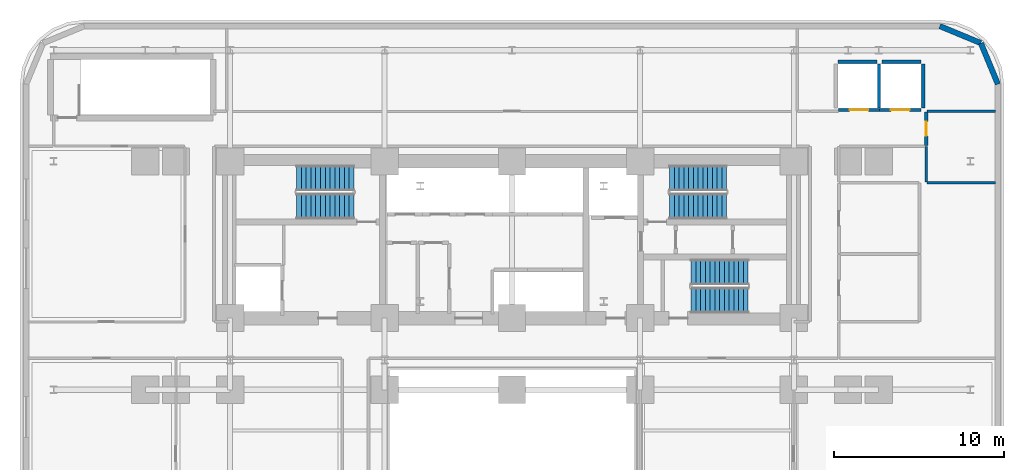
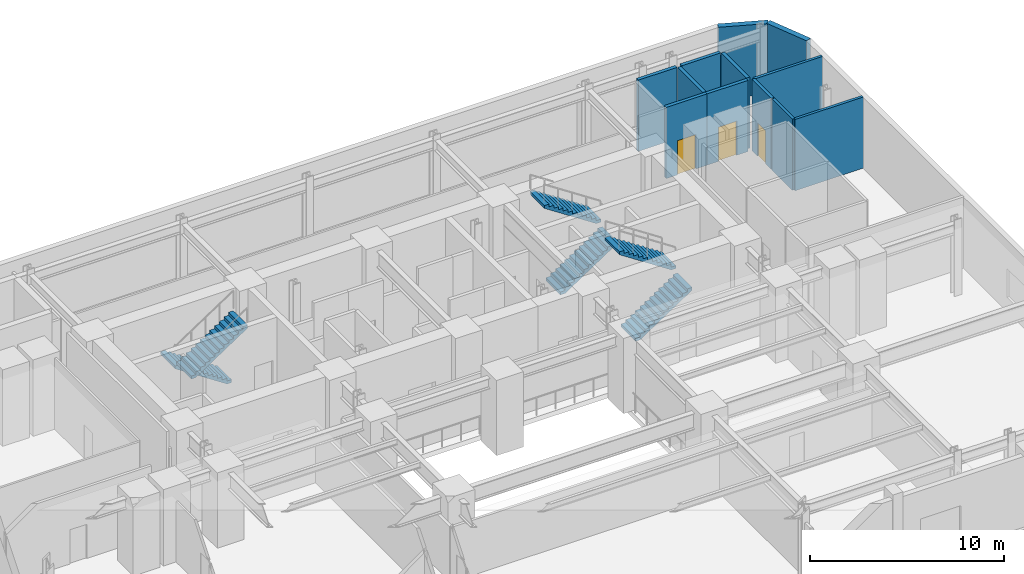
# One storey, part 9 of 15: 12 walls, 6 stair flights, 3 doors, 3 openings, 3 elements without a shape of their own.
"""IFC4 building model written with IfcOpenShell, lengths in metres."""

import ifcopenshell
import ifcopenshell.guid

model = None  # the IFC model being written
_history = None  # IfcOwnerHistory: only IFC2X3 demands one
_inside = {}  # id of a spatial element -> (the spatial element, [elements in it])
_under = {}  # id of a project, library or spatial element -> (it, [spatial elements below it])
_declared = {}  # id of a project -> (the project, [libraries it declares])
_typed = {}  # id of a type object -> (the type object, [elements of that type])
_made_of = {}  # id of a material, layer set ... -> (it, [elements and type objects made of it])


def new_model(schema):
    """Start an empty IFC model of exactly this schema.

    Asked for "IFC4X3", IfcOpenShell would pick the latest addendum, in which some entities
    have other attributes; the version numbers below select the first issue.
    IFC2X3 requires an IfcOwnerHistory on every rooted entity: one is made here for all.
    """
    global model, _history
    if schema == "IFC4X3":
        model = ifcopenshell.file(schema_version=(4, 3, 0, 0))
    else:
        model = ifcopenshell.file(schema=schema)
    _inside.clear()
    _under.clear()
    _declared.clear()
    _typed.clear()
    _made_of.clear()
    _history = None
    if model.schema == "IFC2X3":
        org = make("IfcOrganization", Name="unknown")
        user = make(
            "IfcPersonAndOrganization",
            ThePerson=make("IfcPerson", FamilyName="unknown"),
            TheOrganization=org,
        )
        app = make(
            "IfcApplication",
            ApplicationDeveloper=org,
            Version="unknown",
            ApplicationFullName="unknown",
            ApplicationIdentifier="unknown",
        )
        _history = make(
            "IfcOwnerHistory",
            OwningUser=user,
            OwningApplication=app,
            ChangeAction="ADDED",
            CreationDate=0,
        )
    return model


def make(cls, **values):
    """One entity of the class cls with the attributes given. An attribute that is None is left unset."""
    return model.create_entity(
        cls, **{name: value for name, value in values.items() if value is not None}
    )


def rooted(cls, **values):
    """An entity with a GlobalId (a new one), such as an element, a storey or a relation."""
    return make(cls, GlobalId=ifcopenshell.guid.new(), OwnerHistory=_history, **values)


def si_unit(unit_type, name, prefix=None):
    """IfcSIUnit, for example si_unit("LENGTHUNIT", "METRE", prefix="MILLI")."""
    return make("IfcSIUnit", UnitType=unit_type, Prefix=prefix, Name=name)


def assignment(units):
    """IfcUnitAssignment: the units of a project."""
    return None if units is None else make("IfcUnitAssignment", Units=units)


def point(xyz):
    """IfcCartesianPoint."""
    return None if xyz is None else make("IfcCartesianPoint", Coordinates=xyz)


def direction(xyz):
    """IfcDirection."""
    return None if xyz is None else make("IfcDirection", DirectionRatios=xyz)


def frame(location, z_axis=None, x_axis=None):
    """IfcAxis2Placement3D, a coordinate frame: its origin and axes. An axis left out is left unset."""
    return make(
        "IfcAxis2Placement3D",
        Location=point(location),
        Axis=direction(z_axis),
        RefDirection=direction(x_axis),
    )


def frame_2d(location, x_axis=None):
    """IfcAxis2Placement2D, a coordinate frame in the plane: its origin and x axis."""
    return make(
        "IfcAxis2Placement2D", Location=point(location), RefDirection=direction(x_axis)
    )


def origin():
    """The frame at (0, 0, 0) with its axes left unset."""
    return frame((0.0, 0.0, 0.0))


def place(relative_to, where):
    """IfcLocalPlacement: puts the frame where relative to a parent placement (None: the world)."""
    return make(
        "IfcLocalPlacement", PlacementRelTo=relative_to, RelativePlacement=where
    )


def context(
    kind, dimensions, precision=None, world=None, true_north=None, identifier=None
):
    """IfcGeometricRepresentationContext, for example the 3D "Model" context."""
    return make(
        "IfcGeometricRepresentationContext",
        ContextIdentifier=identifier,
        ContextType=kind,
        CoordinateSpaceDimension=dimensions,
        Precision=precision,
        WorldCoordinateSystem=world,
        TrueNorth=true_north,
    )


def subcontext(parent, identifier, kind, view, scale=None):
    """IfcGeometricRepresentationSubContext, for example "Body" below "Model"."""
    return make(
        "IfcGeometricRepresentationSubContext",
        ContextIdentifier=identifier,
        ContextType=kind,
        ParentContext=parent,
        TargetScale=scale,
        TargetView=view,
    )


def project(units=None, contexts=None):
    """IfcProject with its units and contexts."""
    return rooted(
        "IfcProject",
        Name="project",
        RepresentationContexts=contexts,
        UnitsInContext=assignment(units),
    )


def spatial(cls, under=None, at=None, **own):
    """A site, building, storey or space (cls), placed at a placement, below another one or the project."""
    s = rooted(cls, ObjectPlacement=at, **own)
    if under is not None:
        _under.setdefault(under.id(), (under, []))[1].append(s)
    return s


def polyline(points):
    """IfcPolyline through the points."""
    return make("IfcPolyline", Points=[point(p) for p in points])


def profile(cls, at=None, kind="AREA", **sizes):
    """A parametric profile (cls). Its sizes go by their IFC names, for example OverallWidth=200.0."""
    return make(cls, ProfileType=kind, Position=at, **sizes)


def rectangle(**sizes):
    """IfcRectangleProfileDef."""
    return profile("IfcRectangleProfileDef", **sizes)


def outline(outer, holes=None, kind="AREA"):
    """IfcArbitraryClosedProfileDef: a profile drawn as a closed curve; with holes, ...WithVoids."""
    if holes is None:
        return make("IfcArbitraryClosedProfileDef", ProfileType=kind, OuterCurve=outer)
    return make(
        "IfcArbitraryProfileDefWithVoids",
        ProfileType=kind,
        OuterCurve=outer,
        InnerCurves=holes,
    )


def extrude(swept, where, along, depth):
    """IfcExtrudedAreaSolid: the profile swept, set in the frame where, extruded along a direction by depth."""
    return make(
        "IfcExtrudedAreaSolid",
        SweptArea=swept,
        Position=where,
        ExtrudedDirection=direction(along),
        Depth=depth,
    )


def shape(context_of_items, identifier, shape_type, items):
    """IfcShapeRepresentation: the items that make up one representation, for example the "Body"."""
    return make(
        "IfcShapeRepresentation",
        ContextOfItems=context_of_items,
        RepresentationIdentifier=identifier,
        RepresentationType=shape_type,
        Items=items,
    )


def material(Name=None, Category=None):
    """IfcMaterial."""
    return make("IfcMaterial", Name=Name, Category=Category)


def layer(
    of_material, thickness, ventilated=None, Name=None, Category=None, Priority=None
):
    """IfcMaterialLayer: one layer of a wall or slab, of a material (None: an air gap)."""
    return make(
        "IfcMaterialLayer",
        Material=of_material,
        LayerThickness=thickness,
        IsVentilated=ventilated,
        Name=Name,
        Category=Category,
        Priority=Priority,
    )


def layer_set(layers, Name=None):
    """IfcMaterialLayerSet."""
    return make("IfcMaterialLayerSet", MaterialLayers=layers, LayerSetName=Name)


def made_of(thing, what):
    """Note that an element or type object is made of a material, layer set ...; save() writes the relation."""
    if what is not None:
        _made_of.setdefault(what.id(), (what, []))[1].append(thing)
    return thing


def type_object(cls, material=None, **own):
    """A type object (cls), such as IfcWallType, which elements share."""
    return made_of(rooted(cls, **own), material)


def element(
    cls,
    number,
    at=None,
    inside=None,
    cuts=None,
    type_object=None,
    material=None,
    context=None,
    identifier="Body",
    shape_type=None,
    held_by="IfcProductDefinitionShape",
    body=None,
    shapes=None,
    **own,
):
    """One element of the class cls, such as IfcWall. Its Tag is "e" and its number.

    at: its placement. inside: the storey or other place that contains it. cuts: it is an
    opening in that element (IfcRelVoidsElement). A single representation is given by context,
    identifier, shape_type and body (its items); several are given by shapes. held_by: the class
    of the entity that holds the representations. save() writes the other relations.
    """
    e = rooted(cls, Tag="e%d" % number, ObjectPlacement=at, **own)
    if body is not None:
        shapes = [shape(context, identifier, shape_type, body)]
    if shapes is not None:
        e.Representation = make(held_by, Representations=shapes)
    if inside is not None:
        _inside.setdefault(inside.id(), (inside, []))[1].append(e)
    if cuts is not None:
        rooted(
            "IfcRelVoidsElement", RelatingBuildingElement=cuts, RelatedOpeningElement=e
        )
    if type_object is not None:
        _typed.setdefault(type_object.id(), (type_object, []))[1].append(e)
    return made_of(e, material)


def fill(opening, filler):
    """IfcRelFillsElement: the door or window that sits in an opening."""
    return rooted(
        "IfcRelFillsElement",
        RelatingOpeningElement=opening,
        RelatedBuildingElement=filler,
    )


def aggregate(whole, parts):
    """IfcRelAggregates: a whole, such as a stair, and the parts it consists of."""
    return rooted("IfcRelAggregates", RelatingObject=whole, RelatedObjects=parts)


def save(model, path):
    """Write the relations noted so far, then the file.

    IfcRelAggregates (storeys below a building ...), IfcRelContainedInSpatialStructure (elements
    in a storey), IfcRelDefinesByType, IfcRelAssociatesMaterial and IfcRelDeclares: one each for
    every whole, place, type object, material and project.
    """
    for whole, parts in _under.values():
        aggregate(whole, parts)
    for where, things in _inside.values():
        rooted(
            "IfcRelContainedInSpatialStructure",
            RelatedElements=things,
            RelatingStructure=where,
        )
    for kind, things in _typed.values():
        rooted("IfcRelDefinesByType", RelatedObjects=things, RelatingType=kind)
    for what, things in _made_of.values():
        rooted("IfcRelAssociatesMaterial", RelatedObjects=things, RelatingMaterial=what)
    for by, libraries in _declared.values():
        rooted("IfcRelDeclares", RelatingContext=by, RelatedDefinitions=libraries)
    model.write(path)


model = new_model("IFC4")

# Units and contexts
model_context = context("Model", 3, precision=1e-05, world=origin(), true_north=direction((0.0, 1.0)))
body_context = subcontext(model_context, "Body", "Model", "MODEL_VIEW")
ifc_project = project(units=[si_unit("LENGTHUNIT", "METRE"), si_unit("AREAUNIT", "SQUARE_METRE"), si_unit("VOLUMEUNIT", "CUBIC_METRE"), si_unit("PLANEANGLEUNIT", "RADIAN"), si_unit("MASSUNIT", "GRAM", prefix="KILO")], contexts=[model_context])

# Site, building, storey
site_placement = place(None, origin())
site = spatial("IfcSite", under=ifc_project, at=site_placement, CompositionType="ELEMENT")
building_placement = place(site_placement, origin())
building = spatial("IfcBuilding", under=site, at=building_placement, Name="Zarnavel Station Tower", CompositionType="ELEMENT")
storey_placement = place(building_placement, frame((0.0, 0.0, 24.199951171875)))
storey = spatial("IfcBuildingStorey", under=building, at=storey_placement, Name="L06", CompositionType="ELEMENT", Elevation=24.199951171875)

# Walls
ifc_material_1 = material(Name="Precast concrete C45/55 (Podium Basalt Frame)", Category="masonry")
ifc_layer_1 = layer(ifc_material_1, 0.320068359375)
ifc_layer_set_1 = layer_set([ifc_layer_1], Name="EW_BASALT_320")
wall_type_1 = type_object("IfcWallType", Name="EW_BASALT_320", PredefinedType="SOLIDWALL", material=ifc_layer_set_1)
for number, where, z_axis, x_axis, name in (
    (1, (56.418212890625, 44.018310546875, 0.0), (0.0, 0.0, 1.0), (0.382700522567, -0.923872453333, 0.0), "L06 Exterior Basalt Masonry Frame Wall 04"),
    (2, (54.0, 45.02001953125, 0.0), (0.0, 0.0, 1.0), (0.923872453333, -0.382700522567, 0.0), "L06 Exterior Basalt Masonry Frame Wall 05"),
):
    element("IfcWall", number, at=place(storey_placement, frame(where, z_axis=z_axis, x_axis=x_axis)), inside=storey, type_object=wall_type_1, Name=name, PredefinedType="SOLIDWALL", context=body_context, shape_type="SweptSolid", body=[
        extrude(rectangle(XDim=2.617431640625, YDim=0.320068359375, at=frame_2d((1.30859375, 0.0))), origin(), (0.0, 0.0, 1.0), 4.47998046875),
    ])
ifc_material_2 = material(Name="Gypsum Twin-Stud Acoustic Fire Partition", Category="concrete")
ifc_layer_2 = layer(ifc_material_2, 0.159912109375)
ifc_layer_set_2 = layer_set([ifc_layer_2], Name="PT_DEMISE_160")
wall_type_2 = type_object("IfcWallType", Name="PT_DEMISE_160", PredefinedType="PARTITIONING", material=ifc_layer_set_2)
for number, where, z_axis, x_axis, name in (
    (3, (53.22998046875, 35.800048828125, 0.0), (0.0, 0.0, 1.0), (1.0, 0.0, 0.0), "L06 Enclosure Wall PWC-A"),
    (4, (53.22998046875, 40.0, 0.0), (0.0, 0.0, 1.0), (1.0, 0.0, 0.0), "L06 Enclosure Wall PWC-A"),
):
    element("IfcWall", number, at=place(storey_placement, frame(where, z_axis=z_axis, x_axis=x_axis)), inside=storey, type_object=wall_type_2, Name=name, PredefinedType="PARTITIONING", context=body_context, shape_type="SweptSolid", body=[
        extrude(rectangle(XDim=4.06005859375, YDim=0.159912109375, at=frame_2d((2.030029296875, 0.0))), origin(), (0.0, 0.0, 1.0), 4.47998046875),
    ])
wall_1_placement = place(storey_placement, frame((53.199951171875, 35.830078125, 0.0), z_axis=(0.0, 0.0, 1.0), x_axis=(0.0, 1.0, 0.0)))
element("IfcWall", 5, at=wall_1_placement, inside=storey, type_object=wall_type_2, Name="L06 Enclosure Wall PWC-A", PredefinedType="PARTITIONING", context=body_context, shape_type="SweptSolid", body=[
    extrude(rectangle(XDim=2.08984375, YDim=0.159912109375, at=frame_2d((1.044921875, 0.0))), origin(), (0.0, 0.0, 1.0), 4.47998046875),
])

# Wall, opening, door
ifc_material_3 = material(Name="Precast concrete C45/55 (Fire Shaft Blockwork)", Category="masonry")
ifc_layer_3 = layer(ifc_material_3, 0.199951171875)
ifc_layer_set_3 = layer_set([ifc_layer_3], Name="PT_SHAFT_200")
wall_type_3 = type_object("IfcWallType", Name="PT_SHAFT_200", PredefinedType="PARTITIONING", material=ifc_layer_set_3)
wall_2_placement = place(storey_placement, frame((48.02001953125, 40.080078125, 0.0), z_axis=(0.0, 0.0, 1.0), x_axis=(1.0, 0.0, 0.0)))
wall_2 = element("IfcWall", 6, at=wall_2_placement, inside=storey, type_object=wall_type_3, Name="L06 Lift PL-P1 Shaft Front Wall", PredefinedType="PARTITIONING", context=body_context, shape_type="SweptSolid", body=[
    extrude(rectangle(XDim=2.429931640625, YDim=0.199951171875, at=frame_2d((1.21484375, 0.0))), origin(), (0.0, 0.0, 1.0), 4.47998046875),
])
opening_1_placement = place(wall_2_placement, frame((0.6650390625, 0.0, 0.0)))
opening_1 = element("IfcOpeningElement", 7, at=opening_1_placement, cuts=wall_2, Name="Opening LD02", PredefinedType="OPENING", context=body_context, shape_type="SweptSolid", body=[
    extrude(rectangle(XDim=1.10009765625, YDim=2.14990234375, at=frame_2d((0.550048828125, 1.074951171875))), frame((0.0, 0.10986328125, 0.0), z_axis=(0.0, -1.0, 0.0), x_axis=(1.0, 0.0, 0.0)), (0.0, 0.0, 1.0), 0.219970703125),
])
ifc_material_4 = material(Name="Painted Galvanised Steel and Hardwood Leaf", Category="steel")
door_type_1 = type_object("IfcDoorType", Name="LD_PAX_1100", OperationType="DOUBLE_DOOR_SLIDING", PredefinedType="DOOR", material=ifc_material_4)
door_1_placement = place(opening_1_placement, origin())
door_1 = element("IfcDoor", 8, at=door_1_placement, inside=storey, type_object=door_type_1, Name="L06 Lift PL-P1 Sliding Landing Door", OperationType="DOUBLE_DOOR_SLIDING", OverallHeight=2.14990234375, OverallWidth=1.10009765625, PredefinedType="DOOR", context=body_context, shape_type="SweptSolid", body=[
    extrude(rectangle(XDim=1.10009765625, YDim=2.14990234375, at=frame_2d((0.550048828125, 1.074951171875))), frame((0.0, 0.02490234375, 0.0), z_axis=(0.0, -1.0, 0.0), x_axis=(1.0, 0.0, 0.0)), (0.0, 0.0, 1.0), 0.050048828125),
])
fill(opening_1, door_1)

# Walls
wall_3_placement = place(storey_placement, frame((48.0, 42.919921875, 0.0), z_axis=(0.0, 0.0, 1.0), x_axis=(1.0, 0.0, 0.0)))
element("IfcWall", 9, at=wall_3_placement, inside=storey, type_object=wall_type_3, Name="L06 Lift PL-P1 Shaft Wall N", PredefinedType="PARTITIONING", context=body_context, shape_type="SweptSolid", body=[
    extrude(rectangle(XDim=2.300048828125, YDim=0.199951171875, at=frame_2d((1.14990234375, 0.0))), origin(), (0.0, 0.0, 1.0), 4.47998046875),
])
wall_4_placement = place(storey_placement, frame((50.419921875, 40.199951171875, 0.0), z_axis=(0.0, 0.0, 1.0), x_axis=(0.0, 1.0, 0.0)))
element("IfcWall", 10, at=wall_4_placement, inside=storey, type_object=wall_type_3, Name="L06 Lift PL-P1 Shaft Wall E", PredefinedType="PARTITIONING", context=body_context, shape_type="SweptSolid", body=[
    extrude(rectangle(XDim=2.60009765625, YDim=0.199951171875, at=frame_2d((1.300048828125, 0.0))), origin(), (0.0, 0.0, 1.0), 4.47998046875),
])

# Wall, opening, door
wall_5_placement = place(storey_placement, frame((50.449951171875, 40.080078125, 0.0), z_axis=(0.0, 0.0, 1.0), x_axis=(1.0, 0.0, 0.0)))
wall_5 = element("IfcWall", 11, at=wall_5_placement, inside=storey, type_object=wall_type_3, Name="L06 Lift PL-P2 Shaft Front Wall", PredefinedType="PARTITIONING", context=body_context, shape_type="SweptSolid", body=[
    extrude(rectangle(XDim=2.429931640625, YDim=0.199951171875, at=frame_2d((1.21484375, 0.0))), origin(), (0.0, 0.0, 1.0), 4.47998046875),
])
opening_2_placement = place(wall_5_placement, frame((0.6650390625, 0.0, 0.0)))
opening_2 = element("IfcOpeningElement", 12, at=opening_2_placement, cuts=wall_5, Name="Opening LD02", PredefinedType="OPENING", context=body_context, shape_type="SweptSolid", body=[
    extrude(rectangle(XDim=1.10009765625, YDim=2.14990234375, at=frame_2d((0.550048828125, 1.074951171875))), frame((0.0, 0.10986328125, 0.0), z_axis=(0.0, -1.0, 0.0), x_axis=(1.0, 0.0, 0.0)), (0.0, 0.0, 1.0), 0.219970703125),
])
door_2_placement = place(opening_2_placement, origin())
door_2 = element("IfcDoor", 13, at=door_2_placement, inside=storey, type_object=door_type_1, Name="L06 Lift PL-P2 Sliding Landing Door", OperationType="DOUBLE_DOOR_SLIDING", OverallHeight=2.14990234375, OverallWidth=1.10009765625, PredefinedType="DOOR", context=body_context, shape_type="SweptSolid", body=[
    extrude(rectangle(XDim=1.10009765625, YDim=2.14990234375, at=frame_2d((0.550048828125, 1.074951171875))), frame((0.0, 0.02490234375, 0.0), z_axis=(0.0, -1.0, 0.0), x_axis=(1.0, 0.0, 0.0)), (0.0, 0.0, 1.0), 0.050048828125),
])
fill(opening_2, door_2)

# Walls
wall_6_placement = place(storey_placement, frame((50.60009765625, 42.919921875, 0.0), z_axis=(0.0, 0.0, 1.0), x_axis=(1.0, 0.0, 0.0)))
element("IfcWall", 14, at=wall_6_placement, inside=storey, type_object=wall_type_3, Name="L06 Lift PL-P2 Shaft Wall N", PredefinedType="PARTITIONING", context=body_context, shape_type="SweptSolid", body=[
    extrude(rectangle(XDim=2.2998046875, YDim=0.199951171875, at=frame_2d((1.14990234375, 0.0))), origin(), (0.0, 0.0, 1.0), 4.47998046875),
])
wall_7_placement = place(storey_placement, frame((53.02001953125, 40.199951171875, 0.0), z_axis=(0.0, 0.0, 1.0), x_axis=(0.0, 1.0, 0.0)))
element("IfcWall", 15, at=wall_7_placement, inside=storey, type_object=wall_type_3, Name="L06 Lift PL-P2 Shaft Wall E", PredefinedType="PARTITIONING", context=body_context, shape_type="SweptSolid", body=[
    extrude(rectangle(XDim=2.60009765625, YDim=0.199951171875, at=frame_2d((1.300048828125, 0.0))), origin(), (0.0, 0.0, 1.0), 4.47998046875),
])

# Wall, opening, door
ifc_material_5 = material(Name="Moisture-Resistant Plumbing Chase Wall", Category="concrete")
ifc_layer_4 = layer(ifc_material_5, 0.179931640625)
ifc_layer_set_4 = layer_set([ifc_layer_4], Name="PW_PLUMB_180")
wall_type_4 = type_object("IfcWallType", Name="PW_PLUMB_180", PredefinedType="PLUMBINGWALL", material=ifc_layer_set_4)
wall_8_placement = place(storey_placement, frame((53.199951171875, 37.989990234375, 0.0), z_axis=(0.0, 0.0, 1.0), x_axis=(0.0, 1.0, 0.0)))
wall_8 = element("IfcWall", 16, at=wall_8_placement, inside=storey, type_object=wall_type_4, Name="L06 Partition PLLOB-PWC-A", PredefinedType="PLUMBINGWALL", context=body_context, shape_type="SweptSolid", body=[
    extrude(rectangle(XDim=1.969970703125, YDim=0.179931640625, at=frame_2d((0.98486328125, 0.0))), origin(), (0.0, 0.0, 1.0), 4.47998046875),
])
opening_3_placement = place(wall_8_placement, frame((0.56005859375, 0.0, 0.0)))
opening_3 = element("IfcOpeningElement", 17, at=opening_3_placement, cuts=wall_8, Name="Opening ID02", PredefinedType="OPENING", context=body_context, shape_type="SweptSolid", body=[
    extrude(rectangle(XDim=0.85009765625, YDim=2.10009765625, at=frame_2d((0.425048828125, 1.050048828125))), frame((0.0, 0.099853515625, 0.0), z_axis=(0.0, -1.0, 0.0), x_axis=(1.0, 0.0, 0.0)), (0.0, 0.0, 1.0), 0.199951171875),
])
ifc_material_6 = material(Name="Painted Galvanised Steel and Hardwood Leaf", Category="steel")
door_type_2 = type_object("IfcDoorType", Name="ID_BATH_850", OperationType="NOTDEFINED", PredefinedType="DOOR", material=ifc_material_6)
door_3_placement = place(opening_3_placement, origin())
door_3 = element("IfcDoor", 18, at=door_3_placement, inside=storey, type_object=door_type_2, Name="L06 Door PLLOB-PWC-A", OperationType="SINGLE_SWING_LEFT", OverallHeight=2.10009765625, OverallWidth=0.85009765625, PredefinedType="DOOR", context=body_context, shape_type="SweptSolid", body=[
    extrude(rectangle(XDim=0.85009765625, YDim=2.10009765625, at=frame_2d((0.425048828125, 1.050048828125))), frame((0.0, 0.02490234375, 0.0), z_axis=(0.0, -1.0, 0.0), x_axis=(1.0, 0.0, 0.0)), (0.0, 0.0, 1.0), 0.050048828125),
])
fill(opening_3, door_3)

# Stair, stair flights
ifc_material_7 = material(Name="Concrete C45/55", Category="concrete")
stair_type = type_object("IfcStairType", Name="ST_CORE_150", PredefinedType="HALF_TURN_STAIR", material=ifc_material_7)
stair_1_placement = place(storey_placement, origin())
stair_1 = element("IfcStair", 19, at=stair_1_placement, inside=storey, type_object=stair_type, Name="L06 Core Exit Stair ST1", PredefinedType="HALF_TURN_STAIR")
ifc_material_8 = material(Name="Concrete C45/55", Category="concrete")
ifc_layer_5 = layer(ifc_material_8, 0.179931640625)
ifc_layer_set_5 = layer_set([ifc_layer_5], Name="ST_CORE_150_FLT")
stair_flight_type = type_object("IfcStairFlightType", Name="ST_CORE_150_FLT", PredefinedType="STRAIGHT", material=ifc_layer_set_5)
stair_flight_1_placement = place(storey_placement, frame((19.47998046875, 36.070068359375, 0.0), z_axis=(0.0, 0.0, 1.0), x_axis=(-1.0, 0.0, 0.0)))
stair_flight_1 = element("IfcStairFlight", 20, at=stair_flight_1_placement, type_object=stair_flight_type, Name="ST1 flight 1", NumberOfRisers=13, NumberOfTreads=12, PredefinedType="STRAIGHT", RiserHeight=0.184615385, TreadLength=0.28, context=body_context, shape_type="SweptSolid", body=[
    extrude(outline(polyline([(0.0, 0.0), (0.0, 0.1845703125), (0.280029296875, 0.1845703125), (0.280029296875, 0.369140625), (0.56005859375, 0.369140625), (0.56005859375, 0.553955078125), (0.840087890625, 0.553955078125), (0.840087890625, 0.738525390625), (1.1201171875, 0.738525390625), (1.1201171875, 0.923095703125), (1.39990234375, 0.923095703125), (1.39990234375, 1.107666015625), (1.679931640625, 1.107666015625), (1.679931640625, 1.292236328125), (1.9599609375, 1.292236328125), (1.9599609375, 1.476806640625), (2.239990234375, 1.476806640625), (2.239990234375, 1.66162109375), (2.52001953125, 1.66162109375), (2.52001953125, 1.84619140625), (2.800048828125, 1.84619140625), (2.800048828125, 2.03076171875), (3.080078125, 2.03076171875), (3.080078125, 2.21533203125), (3.360107421875, 2.21533203125), (3.360107421875, 2.39990234375), (3.360107421875, 2.035888671875), (0.272216796875, 0.0), (0.0, 0.0)])), frame((0.0, 0.75, 0.0), z_axis=(0.0, -1.0, 0.0), x_axis=(1.0, 0.0, 0.0)), (0.0, 0.0, 1.0), 1.5),
])
stair_flight_2_placement = place(storey_placement, frame((16.1201171875, 34.409912109375, 2.400146484375), z_axis=(0.0, 0.0, 1.0), x_axis=(1.0, 0.0, 0.0)))
stair_flight_2 = element("IfcStairFlight", 21, at=stair_flight_2_placement, type_object=stair_flight_type, Name="ST1 flight 2", NumberOfRisers=13, NumberOfTreads=12, PredefinedType="STRAIGHT", RiserHeight=0.184615385, TreadLength=0.28, context=body_context, shape_type="SweptSolid", body=[
    extrude(outline(polyline([(0.0, 0.0), (0.0, 0.1845703125), (0.280029296875, 0.1845703125), (0.280029296875, 0.369140625), (0.56005859375, 0.369140625), (0.56005859375, 0.553955078125), (0.840087890625, 0.553955078125), (0.840087890625, 0.738525390625), (1.1201171875, 0.738525390625), (1.1201171875, 0.923095703125), (1.39990234375, 0.923095703125), (1.39990234375, 1.107666015625), (1.679931640625, 1.107666015625), (1.679931640625, 1.292236328125), (1.9599609375, 1.292236328125), (1.9599609375, 1.476806640625), (2.239990234375, 1.476806640625), (2.239990234375, 1.66162109375), (2.52001953125, 1.66162109375), (2.52001953125, 1.84619140625), (2.800048828125, 1.84619140625), (2.800048828125, 2.03076171875), (3.080078125, 2.03076171875), (3.080078125, 2.21533203125), (3.360107421875, 2.21533203125), (3.360107421875, 2.39990234375), (3.360107421875, 2.035888671875), (0.272216796875, 0.0), (0.0, 0.0)])), frame((0.0, 0.75, 0.0), z_axis=(0.0, -1.0, 0.0), x_axis=(1.0, 0.0, 0.0)), (0.0, 0.0, 1.0), 1.5),
])
aggregate(stair_1, [stair_flight_1, stair_flight_2])

stair_2_placement = place(storey_placement, origin())
stair_2 = element("IfcStair", 22, at=stair_2_placement, inside=storey, type_object=stair_type, Name="L06 Core Exit Stair ST2", PredefinedType="HALF_TURN_STAIR")
stair_flight_3_placement = place(storey_placement, frame((38.080078125, 34.409912109375, 0.0), z_axis=(0.0, 0.0, 1.0), x_axis=(1.0, 0.0, 0.0)))
stair_flight_3 = element("IfcStairFlight", 23, at=stair_flight_3_placement, type_object=stair_flight_type, Name="ST2 flight 1", NumberOfRisers=13, NumberOfTreads=12, PredefinedType="STRAIGHT", RiserHeight=0.184615385, TreadLength=0.28, context=body_context, shape_type="SweptSolid", body=[
    extrude(outline(polyline([(0.0, 0.0), (0.0, 0.1845703125), (0.280029296875, 0.1845703125), (0.280029296875, 0.369140625), (0.56005859375, 0.369140625), (0.56005859375, 0.553955078125), (0.840087890625, 0.553955078125), (0.840087890625, 0.738525390625), (1.1201171875, 0.738525390625), (1.1201171875, 0.923095703125), (1.39990234375, 0.923095703125), (1.39990234375, 1.107666015625), (1.679931640625, 1.107666015625), (1.679931640625, 1.292236328125), (1.9599609375, 1.292236328125), (1.9599609375, 1.476806640625), (2.239990234375, 1.476806640625), (2.239990234375, 1.66162109375), (2.52001953125, 1.66162109375), (2.52001953125, 1.84619140625), (2.800048828125, 1.84619140625), (2.800048828125, 2.03076171875), (3.080078125, 2.03076171875), (3.080078125, 2.21533203125), (3.360107421875, 2.21533203125), (3.360107421875, 2.39990234375), (3.360107421875, 2.035888671875), (0.272216796875, 0.0), (0.0, 0.0)])), frame((0.0, 0.75, 0.0), z_axis=(0.0, -1.0, 0.0), x_axis=(1.0, 0.0, 0.0)), (0.0, 0.0, 1.0), 1.5),
])
stair_flight_4_placement = place(storey_placement, frame((41.43994140625, 36.070068359375, 2.400146484375), z_axis=(0.0, 0.0, 1.0), x_axis=(-1.0, 0.0, 0.0)))
stair_flight_4 = element("IfcStairFlight", 24, at=stair_flight_4_placement, type_object=stair_flight_type, Name="ST2 flight 2", NumberOfRisers=13, NumberOfTreads=12, PredefinedType="STRAIGHT", RiserHeight=0.184615385, TreadLength=0.28, context=body_context, shape_type="SweptSolid", body=[
    extrude(outline(polyline([(0.0, 0.0), (0.0, 0.1845703125), (0.280029296875, 0.1845703125), (0.280029296875, 0.369140625), (0.56005859375, 0.369140625), (0.56005859375, 0.553955078125), (0.840087890625, 0.553955078125), (0.840087890625, 0.738525390625), (1.1201171875, 0.738525390625), (1.1201171875, 0.923095703125), (1.39990234375, 0.923095703125), (1.39990234375, 1.107666015625), (1.679931640625, 1.107666015625), (1.679931640625, 1.292236328125), (1.9599609375, 1.292236328125), (1.9599609375, 1.476806640625), (2.239990234375, 1.476806640625), (2.239990234375, 1.66162109375), (2.52001953125, 1.66162109375), (2.52001953125, 1.84619140625), (2.800048828125, 1.84619140625), (2.800048828125, 2.03076171875), (3.080078125, 2.03076171875), (3.080078125, 2.21533203125), (3.360107421875, 2.21533203125), (3.360107421875, 2.39990234375), (3.360107421875, 2.035888671875), (0.272216796875, 0.0), (0.0, 0.0)])), frame((0.0, 0.75, 0.0), z_axis=(0.0, -1.0, 0.0), x_axis=(1.0, 0.0, 0.0)), (0.0, 0.0, 1.0), 1.5),
])
aggregate(stair_2, [stair_flight_3, stair_flight_4])

stair_3_placement = place(storey_placement, origin())
stair_3 = element("IfcStair", 25, at=stair_3_placement, inside=storey, type_object=stair_type, Name="L06 Core Exit Stair ST3", PredefinedType="HALF_TURN_STAIR")
stair_flight_5_placement = place(storey_placement, frame((39.35009765625, 28.8701171875, 0.0), z_axis=(0.0, 0.0, 1.0), x_axis=(1.0, 0.0, 0.0)))
stair_flight_5 = element("IfcStairFlight", 26, at=stair_flight_5_placement, type_object=stair_flight_type, Name="ST3 flight 1", NumberOfRisers=13, NumberOfTreads=12, PredefinedType="STRAIGHT", RiserHeight=0.184615385, TreadLength=0.28, context=body_context, shape_type="SweptSolid", body=[
    extrude(outline(polyline([(0.0, 0.0), (0.0, 0.1845703125), (0.280029296875, 0.1845703125), (0.280029296875, 0.369140625), (0.56005859375, 0.369140625), (0.56005859375, 0.553955078125), (0.840087890625, 0.553955078125), (0.840087890625, 0.738525390625), (1.1201171875, 0.738525390625), (1.1201171875, 0.923095703125), (1.39990234375, 0.923095703125), (1.39990234375, 1.107666015625), (1.679931640625, 1.107666015625), (1.679931640625, 1.292236328125), (1.9599609375, 1.292236328125), (1.9599609375, 1.476806640625), (2.239990234375, 1.476806640625), (2.239990234375, 1.66162109375), (2.52001953125, 1.66162109375), (2.52001953125, 1.84619140625), (2.800048828125, 1.84619140625), (2.800048828125, 2.03076171875), (3.080078125, 2.03076171875), (3.080078125, 2.21533203125), (3.360107421875, 2.21533203125), (3.360107421875, 2.39990234375), (3.360107421875, 2.035888671875), (0.272216796875, 0.0), (0.0, 0.0)])), frame((0.0, 0.75, 0.0), z_axis=(0.0, -1.0, 0.0), x_axis=(1.0, 0.0, 0.0)), (0.0, 0.0, 1.0), 1.5),
])
stair_flight_6_placement = place(storey_placement, frame((42.7099609375, 30.530029296875, 2.400146484375), z_axis=(0.0, 0.0, 1.0), x_axis=(-1.0, 0.0, 0.0)))
stair_flight_6 = element("IfcStairFlight", 27, at=stair_flight_6_placement, type_object=stair_flight_type, Name="ST3 flight 2", NumberOfRisers=13, NumberOfTreads=12, PredefinedType="STRAIGHT", RiserHeight=0.184615385, TreadLength=0.28, context=body_context, shape_type="SweptSolid", body=[
    extrude(outline(polyline([(0.0, 0.0), (0.0, 0.1845703125), (0.280029296875, 0.1845703125), (0.280029296875, 0.369140625), (0.56005859375, 0.369140625), (0.56005859375, 0.553955078125), (0.840087890625, 0.553955078125), (0.840087890625, 0.738525390625), (1.1201171875, 0.738525390625), (1.1201171875, 0.923095703125), (1.39990234375, 0.923095703125), (1.39990234375, 1.107666015625), (1.679931640625, 1.107666015625), (1.679931640625, 1.292236328125), (1.9599609375, 1.292236328125), (1.9599609375, 1.476806640625), (2.239990234375, 1.476806640625), (2.239990234375, 1.66162109375), (2.52001953125, 1.66162109375), (2.52001953125, 1.84619140625), (2.800048828125, 1.84619140625), (2.800048828125, 2.03076171875), (3.080078125, 2.03076171875), (3.080078125, 2.21533203125), (3.360107421875, 2.21533203125), (3.360107421875, 2.39990234375), (3.360107421875, 2.035888671875), (0.272216796875, 0.0), (0.0, 0.0)])), frame((0.0, 0.75, 0.0), z_axis=(0.0, -1.0, 0.0), x_axis=(1.0, 0.0, 0.0)), (0.0, 0.0, 1.0), 1.5),
])
aggregate(stair_3, [stair_flight_5, stair_flight_6])

save(model, "model.ifc")
